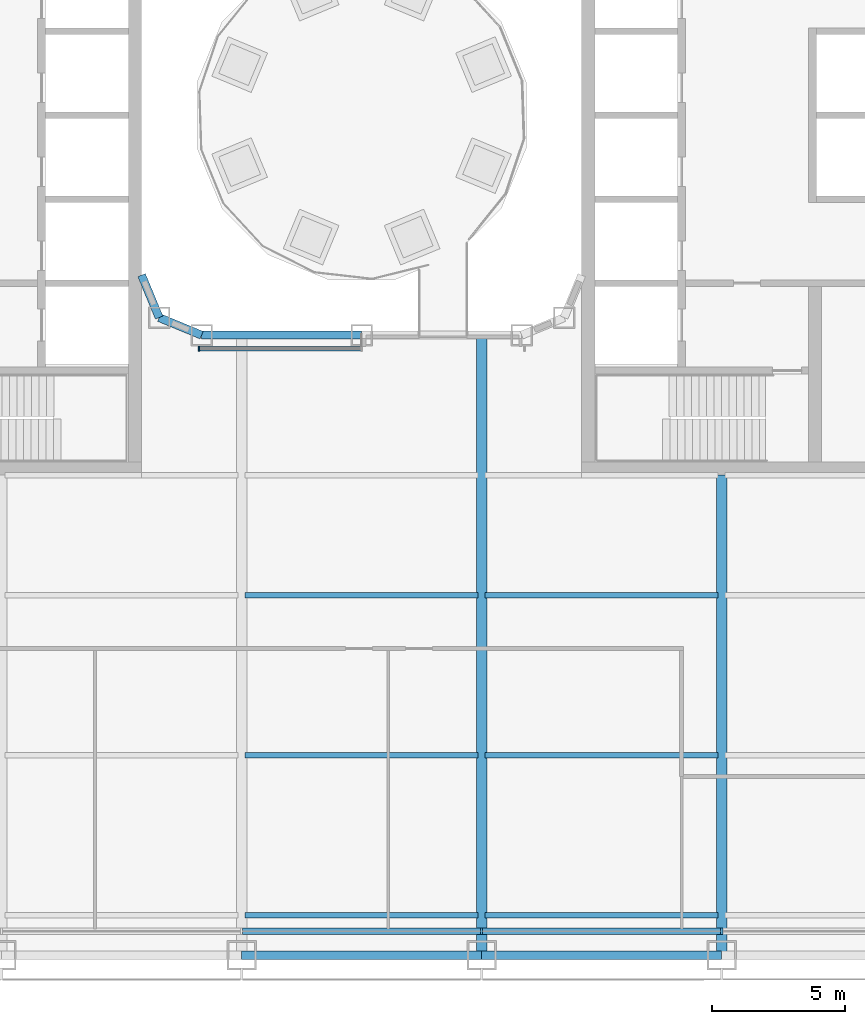
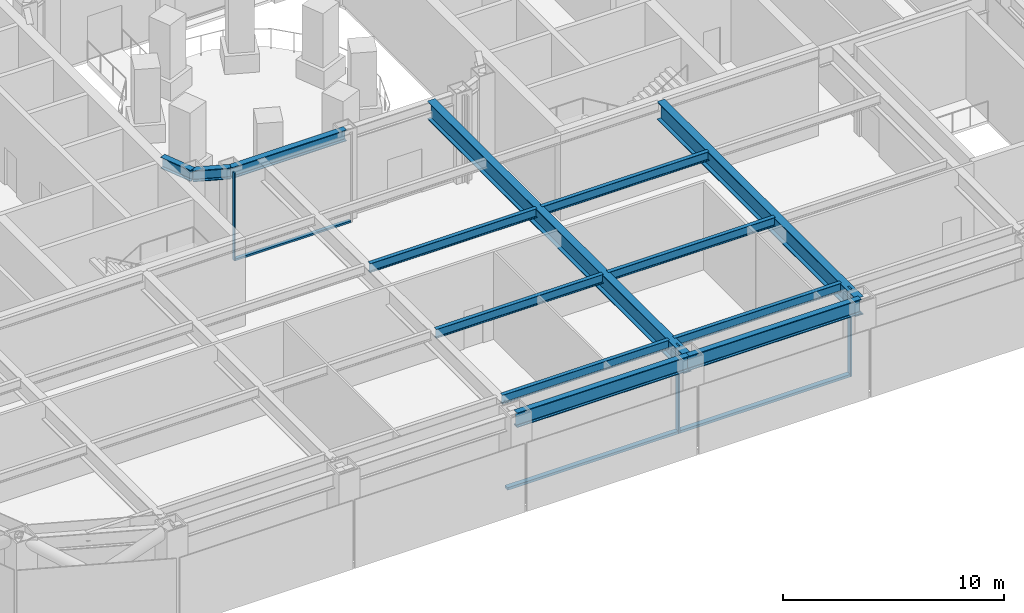
# One storey, part 3 of 25: 13 beams, 6 members, 2 elements without a shape of their own.
"""IFC4 building model written with IfcOpenShell, lengths in metres."""

import ifcopenshell
import ifcopenshell.guid

model = None  # the IFC model being written
_history = None  # IfcOwnerHistory: only IFC2X3 demands one
_inside = {}  # id of a spatial element -> (the spatial element, [elements in it])
_under = {}  # id of a project, library or spatial element -> (it, [spatial elements below it])
_declared = {}  # id of a project -> (the project, [libraries it declares])
_typed = {}  # id of a type object -> (the type object, [elements of that type])
_made_of = {}  # id of a material, layer set ... -> (it, [elements and type objects made of it])


def new_model(schema):
    """Start an empty IFC model of exactly this schema.

    Asked for "IFC4X3", IfcOpenShell would pick the latest addendum, in which some entities
    have other attributes; the version numbers below select the first issue.
    IFC2X3 requires an IfcOwnerHistory on every rooted entity: one is made here for all.
    """
    global model, _history
    if schema == "IFC4X3":
        model = ifcopenshell.file(schema_version=(4, 3, 0, 0))
    else:
        model = ifcopenshell.file(schema=schema)
    _inside.clear()
    _under.clear()
    _declared.clear()
    _typed.clear()
    _made_of.clear()
    _history = None
    if model.schema == "IFC2X3":
        org = make("IfcOrganization", Name="unknown")
        user = make(
            "IfcPersonAndOrganization",
            ThePerson=make("IfcPerson", FamilyName="unknown"),
            TheOrganization=org,
        )
        app = make(
            "IfcApplication",
            ApplicationDeveloper=org,
            Version="unknown",
            ApplicationFullName="unknown",
            ApplicationIdentifier="unknown",
        )
        _history = make(
            "IfcOwnerHistory",
            OwningUser=user,
            OwningApplication=app,
            ChangeAction="ADDED",
            CreationDate=0,
        )
    return model


def make(cls, **values):
    """One entity of the class cls with the attributes given. An attribute that is None is left unset."""
    return model.create_entity(
        cls, **{name: value for name, value in values.items() if value is not None}
    )


def rooted(cls, **values):
    """An entity with a GlobalId (a new one), such as an element, a storey or a relation."""
    return make(cls, GlobalId=ifcopenshell.guid.new(), OwnerHistory=_history, **values)


def si_unit(unit_type, name, prefix=None):
    """IfcSIUnit, for example si_unit("LENGTHUNIT", "METRE", prefix="MILLI")."""
    return make("IfcSIUnit", UnitType=unit_type, Prefix=prefix, Name=name)


def assignment(units):
    """IfcUnitAssignment: the units of a project."""
    return None if units is None else make("IfcUnitAssignment", Units=units)


def point(xyz):
    """IfcCartesianPoint."""
    return None if xyz is None else make("IfcCartesianPoint", Coordinates=xyz)


def direction(xyz):
    """IfcDirection."""
    return None if xyz is None else make("IfcDirection", DirectionRatios=xyz)


def frame(location, z_axis=None, x_axis=None):
    """IfcAxis2Placement3D, a coordinate frame: its origin and axes. An axis left out is left unset."""
    return make(
        "IfcAxis2Placement3D",
        Location=point(location),
        Axis=direction(z_axis),
        RefDirection=direction(x_axis),
    )


def frame_2d(location, x_axis=None):
    """IfcAxis2Placement2D, a coordinate frame in the plane: its origin and x axis."""
    return make(
        "IfcAxis2Placement2D", Location=point(location), RefDirection=direction(x_axis)
    )


def origin():
    """The frame at (0, 0, 0) with its axes left unset."""
    return frame((0.0, 0.0, 0.0))


def origin_2d():
    """The frame at (0, 0) in the plane with its x axis left unset."""
    return frame_2d((0.0, 0.0))


def place(relative_to, where):
    """IfcLocalPlacement: puts the frame where relative to a parent placement (None: the world)."""
    return make(
        "IfcLocalPlacement", PlacementRelTo=relative_to, RelativePlacement=where
    )


def context(
    kind, dimensions, precision=None, world=None, true_north=None, identifier=None
):
    """IfcGeometricRepresentationContext, for example the 3D "Model" context."""
    return make(
        "IfcGeometricRepresentationContext",
        ContextIdentifier=identifier,
        ContextType=kind,
        CoordinateSpaceDimension=dimensions,
        Precision=precision,
        WorldCoordinateSystem=world,
        TrueNorth=true_north,
    )


def subcontext(parent, identifier, kind, view, scale=None):
    """IfcGeometricRepresentationSubContext, for example "Body" below "Model"."""
    return make(
        "IfcGeometricRepresentationSubContext",
        ContextIdentifier=identifier,
        ContextType=kind,
        ParentContext=parent,
        TargetScale=scale,
        TargetView=view,
    )


def project(units=None, contexts=None):
    """IfcProject with its units and contexts."""
    return rooted(
        "IfcProject",
        Name="project",
        RepresentationContexts=contexts,
        UnitsInContext=assignment(units),
    )


def spatial(cls, under=None, at=None, **own):
    """A site, building, storey or space (cls), placed at a placement, below another one or the project."""
    s = rooted(cls, ObjectPlacement=at, **own)
    if under is not None:
        _under.setdefault(under.id(), (under, []))[1].append(s)
    return s


def profile(cls, at=None, kind="AREA", **sizes):
    """A parametric profile (cls). Its sizes go by their IFC names, for example OverallWidth=200.0."""
    return make(cls, ProfileType=kind, Position=at, **sizes)


def rectangle(**sizes):
    """IfcRectangleProfileDef."""
    return profile("IfcRectangleProfileDef", **sizes)


def i_section(**sizes):
    """IfcIShapeProfileDef."""
    return profile("IfcIShapeProfileDef", **sizes)


def extrude(swept, where, along, depth):
    """IfcExtrudedAreaSolid: the profile swept, set in the frame where, extruded along a direction by depth."""
    return make(
        "IfcExtrudedAreaSolid",
        SweptArea=swept,
        Position=where,
        ExtrudedDirection=direction(along),
        Depth=depth,
    )


def shape(context_of_items, identifier, shape_type, items):
    """IfcShapeRepresentation: the items that make up one representation, for example the "Body"."""
    return make(
        "IfcShapeRepresentation",
        ContextOfItems=context_of_items,
        RepresentationIdentifier=identifier,
        RepresentationType=shape_type,
        Items=items,
    )


def material(Name=None, Category=None):
    """IfcMaterial."""
    return make("IfcMaterial", Name=Name, Category=Category)


def layer(
    of_material, thickness, ventilated=None, Name=None, Category=None, Priority=None
):
    """IfcMaterialLayer: one layer of a wall or slab, of a material (None: an air gap)."""
    return make(
        "IfcMaterialLayer",
        Material=of_material,
        LayerThickness=thickness,
        IsVentilated=ventilated,
        Name=Name,
        Category=Category,
        Priority=Priority,
    )


def layer_set(layers, Name=None):
    """IfcMaterialLayerSet."""
    return make("IfcMaterialLayerSet", MaterialLayers=layers, LayerSetName=Name)


def material_profile(
    of_material, cross_section, Name=None, Category=None, Priority=None
):
    """IfcMaterialProfile: a cross section and its material."""
    return make(
        "IfcMaterialProfile",
        Name=Name,
        Material=of_material,
        Profile=cross_section,
        Priority=Priority,
        Category=Category,
    )


def profile_set(profiles, Name=None, composite=None):
    """IfcMaterialProfileSet."""
    return make(
        "IfcMaterialProfileSet",
        Name=Name,
        MaterialProfiles=profiles,
        CompositeProfile=composite,
    )


def made_of(thing, what):
    """Note that an element or type object is made of a material, layer set ...; save() writes the relation."""
    if what is not None:
        _made_of.setdefault(what.id(), (what, []))[1].append(thing)
    return thing


def type_object(cls, material=None, **own):
    """A type object (cls), such as IfcWallType, which elements share."""
    return made_of(rooted(cls, **own), material)


def element(
    cls,
    number,
    at=None,
    inside=None,
    cuts=None,
    type_object=None,
    material=None,
    context=None,
    identifier="Body",
    shape_type=None,
    held_by="IfcProductDefinitionShape",
    body=None,
    shapes=None,
    **own,
):
    """One element of the class cls, such as IfcWall. Its Tag is "e" and its number.

    at: its placement. inside: the storey or other place that contains it. cuts: it is an
    opening in that element (IfcRelVoidsElement). A single representation is given by context,
    identifier, shape_type and body (its items); several are given by shapes. held_by: the class
    of the entity that holds the representations. save() writes the other relations.
    """
    e = rooted(cls, Tag="e%d" % number, ObjectPlacement=at, **own)
    if body is not None:
        shapes = [shape(context, identifier, shape_type, body)]
    if shapes is not None:
        e.Representation = make(held_by, Representations=shapes)
    if inside is not None:
        _inside.setdefault(inside.id(), (inside, []))[1].append(e)
    if cuts is not None:
        rooted(
            "IfcRelVoidsElement", RelatingBuildingElement=cuts, RelatedOpeningElement=e
        )
    if type_object is not None:
        _typed.setdefault(type_object.id(), (type_object, []))[1].append(e)
    return made_of(e, material)


def aggregate(whole, parts):
    """IfcRelAggregates: a whole, such as a stair, and the parts it consists of."""
    return rooted("IfcRelAggregates", RelatingObject=whole, RelatedObjects=parts)


def save(model, path):
    """Write the relations noted so far, then the file.

    IfcRelAggregates (storeys below a building ...), IfcRelContainedInSpatialStructure (elements
    in a storey), IfcRelDefinesByType, IfcRelAssociatesMaterial and IfcRelDeclares: one each for
    every whole, place, type object, material and project.
    """
    for whole, parts in _under.values():
        aggregate(whole, parts)
    for where, things in _inside.values():
        rooted(
            "IfcRelContainedInSpatialStructure",
            RelatedElements=things,
            RelatingStructure=where,
        )
    for kind, things in _typed.values():
        rooted("IfcRelDefinesByType", RelatedObjects=things, RelatingType=kind)
    for what, things in _made_of.values():
        rooted("IfcRelAssociatesMaterial", RelatedObjects=things, RelatingMaterial=what)
    for by, libraries in _declared.values():
        rooted("IfcRelDeclares", RelatingContext=by, RelatedDefinitions=libraries)
    model.write(path)


model = new_model("IFC4")

# Units and contexts
model_context = context("Model", 3, precision=1e-05, world=origin(), true_north=direction((0.0, 1.0)))
body_context = subcontext(model_context, "Body", "Model", "MODEL_VIEW")
ifc_project = project(units=[si_unit("LENGTHUNIT", "METRE"), si_unit("AREAUNIT", "SQUARE_METRE"), si_unit("VOLUMEUNIT", "CUBIC_METRE"), si_unit("PLANEANGLEUNIT", "RADIAN"), si_unit("MASSUNIT", "GRAM", prefix="KILO")], contexts=[model_context])

# Site, building, storey
site_placement = place(None, origin())
site = spatial("IfcSite", under=ifc_project, at=site_placement, CompositionType="ELEMENT")
building_placement = place(site_placement, origin())
building = spatial("IfcBuilding", under=site, at=building_placement, Name="Siwar Civic Tower", CompositionType="ELEMENT")
storey_placement = place(building_placement, frame((0.0, 0.0, 17.199951171875)))
storey = spatial("IfcBuildingStorey", under=building, at=storey_placement, Name="L03", CompositionType="ELEMENT", Elevation=17.199951171875)

# Curtain wall, members
ifc_material_1 = material(Name="Aluminium and glass", Category="aluminium")
ifc_layer_1 = layer(ifc_material_1, 0.25)
ifc_layer_set_1 = layer_set([ifc_layer_1], Name="Aluminium and glass")
curtain_wall_type_1 = type_object("IfcCurtainWallType", Name="ENV-CW-H", PredefinedType="NOTDEFINED", material=ifc_layer_set_1)
curtain_wall_1_placement = place(storey_placement, origin())
curtain_wall_1 = element("IfcCurtainWall", 1, at=curtain_wall_1_placement, inside=storey, type_object=curtain_wall_type_1, Name="Curtain wall H S", PredefinedType="NOTDEFINED")
ifc_material_2 = material(Name="Aluminium 6063-T6", Category="aluminium")
ifc_material_profile_1 = material_profile(ifc_material_2, rectangle(XDim=0.25, YDim=0.080078125, at=origin_2d()), Name="AL 250x80")
ifc_profile_set_1 = profile_set([ifc_material_profile_1], Name="Aluminium 6063-T6")
member_type_1 = type_object("IfcMemberType", Name="ENV-MULLION-H", PredefinedType="MULLION", material=ifc_profile_set_1)
member_1_placement = place(storey_placement, frame((4.5, -30.60009765625, 0.0), z_axis=(0.0, 0.0, 1.0), x_axis=(0.0, 1.0, 0.0)))
member_1 = element("IfcMember", 2, at=member_1_placement, type_object=member_type_1, Name="Mullion H S 4", PredefinedType="MULLION", context=body_context, shape_type="SweptSolid", body=[
    extrude(rectangle(XDim=0.25, YDim=0.080078125, at=origin_2d()), origin(), (0.0, 0.0, 1.0), 4.85009765625),
])
member_2_placement = place(storey_placement, frame((13.5, -30.60009765625, 0.0), z_axis=(0.0, 0.0, 1.0), x_axis=(0.0, 1.0, 0.0)))
member_2 = element("IfcMember", 3, at=member_2_placement, type_object=member_type_1, Name="Mullion H S 5", PredefinedType="MULLION", context=body_context, shape_type="SweptSolid", body=[
    extrude(rectangle(XDim=0.25, YDim=0.080078125, at=origin_2d()), origin(), (0.0, 0.0, 1.0), 4.85009765625),
])

# Curtain wall, member
ifc_material_3 = material(Name="Aluminium and glass", Category="aluminium")
ifc_layer_2 = layer(ifc_material_3, 0.179931640625)
ifc_layer_set_2 = layer_set([ifc_layer_2], Name="Aluminium and glass")
curtain_wall_type_2 = type_object("IfcCurtainWallType", Name="ENV-CW-W", PredefinedType="NOTDEFINED", material=ifc_layer_set_2)
curtain_wall_2_placement = place(storey_placement, origin())
curtain_wall_2 = element("IfcCurtainWall", 4, at=curtain_wall_2_placement, inside=storey, type_object=curtain_wall_type_2, Name="Curtain wall W WS", PredefinedType="NOTDEFINED")
ifc_material_4 = material(Name="Aluminium 6063-T6", Category="aluminium")
ifc_material_profile_2 = material_profile(ifc_material_4, rectangle(XDim=0.179931640625, YDim=0.06005859375, at=origin_2d()), Name="AL 180x60")
ifc_profile_set_2 = profile_set([ifc_material_profile_2], Name="Aluminium 6063-T6")
member_type_2 = type_object("IfcMemberType", Name="ENV-MULLION-W", PredefinedType="MULLION", material=ifc_profile_set_2)
member_3_placement = place(storey_placement, frame((-6.1015625, -8.760009765625, 0.0), z_axis=(0.0, 0.0, 1.0), x_axis=(0.0, 1.0, 0.0)))
member_3 = element("IfcMember", 5, at=member_3_placement, type_object=member_type_2, Name="Mullion W WS 1", PredefinedType="MULLION", context=body_context, shape_type="SweptSolid", body=[
    extrude(rectangle(XDim=0.179931640625, YDim=0.06005859375, at=origin_2d()), origin(), (0.0, 0.0, 1.0), 4.85009765625),
])

# Member
ifc_material_5 = material(Name="Aluminium 6063-T6", Category="aluminium")
ifc_material_profile_3 = material_profile(ifc_material_5, rectangle(XDim=0.25, YDim=0.139892578125, at=origin_2d()), Name="AL 250x140")
ifc_profile_set_3 = profile_set([ifc_material_profile_3], Name="Aluminium 6063-T6")
member_type_3 = type_object("IfcMemberType", Name="ENV-TRANSOM-H", PredefinedType="USERDEFINED", material=ifc_profile_set_3)
member_4_placement = place(storey_placement, frame((-4.4599609375, -30.60009765625, 0.070068359375), z_axis=(1.0, 0.0, 0.0), x_axis=(0.0, 1.0, 0.0)))
member_4 = element("IfcMember", 6, at=member_4_placement, type_object=member_type_3, Name="Transom H S 3", ObjectType="TRANSOM", PredefinedType="USERDEFINED", context=body_context, shape_type="SweptSolid", body=[
    extrude(rectangle(XDim=0.25, YDim=0.139892578125, at=origin_2d()), origin(), (0.0, 0.0, 1.0), 8.919921875),
])

member_5_placement = place(storey_placement, frame((4.5400390625, -30.60009765625, 0.070068359375), z_axis=(1.0, 0.0, 0.0), x_axis=(0.0, 1.0, 0.0)))
member_5 = element("IfcMember", 7, at=member_5_placement, type_object=member_type_3, Name="Transom H S 4", ObjectType="TRANSOM", PredefinedType="USERDEFINED", context=body_context, shape_type="SweptSolid", body=[
    extrude(rectangle(XDim=0.25, YDim=0.139892578125, at=origin_2d()), origin(), (0.0, 0.0, 1.0), 8.919921875),
])

aggregate(curtain_wall_1, [member_1, member_2, member_4, member_5])

ifc_material_6 = material(Name="Aluminium 6063-T6", Category="aluminium")
ifc_material_profile_4 = material_profile(ifc_material_6, rectangle(XDim=0.179931640625, YDim=0.10009765625, at=origin_2d()), Name="AL 180x100")
ifc_profile_set_4 = profile_set([ifc_material_profile_4], Name="Aluminium 6063-T6")
member_type_4 = type_object("IfcMemberType", Name="ENV-TRANSOM-W", PredefinedType="USERDEFINED", material=ifc_profile_set_4)
member_6_placement = place(storey_placement, frame((-6.071533203125, -8.760009765625, 0.050048828125), z_axis=(1.0, 0.0, 0.0), x_axis=(0.0, 1.0, 0.0)))
member_6 = element("IfcMember", 8, at=member_6_placement, type_object=member_type_4, Name="Transom W WS 1", ObjectType="TRANSOM", PredefinedType="USERDEFINED", context=body_context, shape_type="SweptSolid", body=[
    extrude(rectangle(XDim=0.179931640625, YDim=0.10009765625, at=origin_2d()), origin(), (0.0, 0.0, 1.0), 6.04150390625),
])

aggregate(curtain_wall_2, [member_3, member_6])

# Beams
ifc_material_7 = material(Name="Steel S355", Category="steel")
ifc_material_profile_5 = material_profile(ifc_material_7, i_section(OverallWidth=0.199951171875, OverallDepth=0.5, WebThickness=0.01025390625, FlangeThickness=0.01611328125, FilletRadius=0.02099609375, at=origin_2d()), Name="IPE500")
ifc_profile_set_5 = profile_set([ifc_material_profile_5], Name="Steel S355")
beam_type_1 = type_object("IfcBeamType", Name="STR-FB-IPE500", PredefinedType="JOIST", material=ifc_profile_set_5)
for number, where, z_axis, x_axis, name in (
    (9, (-4.3701171875, -30.0, 4.60009765625), (1.0, 0.0, 0.0), (0.0, 1.0, 0.0), "L03/bm/F004"),
    (10, (4.6298828125, -30.0, 4.60009765625), (1.0, 0.0, 0.0), (0.0, 1.0, 0.0), "L03/bm/F005"),
    (11, (-4.3701171875, -24.0, 4.60009765625), (1.0, 0.0, 0.0), (0.0, 1.0, 0.0), "L03/bm/F011"),
    (12, (4.6298828125, -24.0, 4.60009765625), (1.0, 0.0, 0.0), (0.0, 1.0, 0.0), "L03/bm/F012"),
    (13, (-4.3701171875, -18.0, 4.60009765625), (1.0, 0.0, 0.0), (0.0, 1.0, 0.0), "L03/bm/F017"),
    (14, (4.6298828125, -18.0, 4.60009765625), (1.0, 0.0, 0.0), (0.0, 1.0, 0.0), "L03/bm/F018"),
):
    element("IfcBeam", number, at=place(storey_placement, frame(where, z_axis=z_axis, x_axis=x_axis)), inside=storey, type_object=beam_type_1, Name=name, PredefinedType="JOIST", context=body_context, shape_type="SweptSolid", body=[
        extrude(i_section(OverallWidth=0.199951171875, OverallDepth=0.5, WebThickness=0.01025390625, FlangeThickness=0.01611328125, FilletRadius=0.02099609375, at=origin_2d()), origin(), (0.0, 0.0, 1.0), 8.740234375),
    ])
ifc_material_8 = material(Name="Steel S355", Category="steel")
ifc_material_profile_6 = material_profile(ifc_material_8, i_section(OverallWidth=0.39990234375, OverallDepth=1.0, WebThickness=0.01611328125, FlangeThickness=0.0400390625, at=origin_2d()), Name="PG1000x400x16x40")
ifc_profile_set_6 = profile_set([ifc_material_profile_6], Name="Steel S355")
beam_type_2 = type_object("IfcBeamType", Name="STR-PG-PG1000x400x16x40", PredefinedType="BEAM", material=ifc_profile_set_6)
beam_1_placement = place(storey_placement, frame((4.5, -31.5, 4.35009765625), z_axis=(0.0, 1.0, 0.0), x_axis=(-1.0, 0.0, 0.0)))
element("IfcBeam", 15, at=beam_1_placement, inside=storey, type_object=beam_type_2, Name="L03/bm/G07", PredefinedType="BEAM", context=body_context, shape_type="SweptSolid", body=[
    extrude(i_section(OverallWidth=0.39990234375, OverallDepth=1.0, WebThickness=0.01611328125, FlangeThickness=0.0400390625, at=origin_2d()), origin(), (0.0, 0.0, 1.0), 23.25),
])
beam_2_placement = place(storey_placement, frame((13.5, -31.5, 4.35009765625), z_axis=(0.0, 1.0, 0.0), x_axis=(-1.0, 0.0, 0.0)))
element("IfcBeam", 16, at=beam_2_placement, inside=storey, type_object=beam_type_2, Name="L03/bm/G09", PredefinedType="BEAM", context=body_context, shape_type="SweptSolid", body=[
    extrude(i_section(OverallWidth=0.39990234375, OverallDepth=1.0, WebThickness=0.01611328125, FlangeThickness=0.0400390625, at=origin_2d()), origin(), (0.0, 0.0, 1.0), 18.0),
])
ifc_material_9 = material(Name="Steel S355", Category="steel")
ifc_material_profile_7 = material_profile(ifc_material_9, i_section(OverallWidth=0.304931640625, OverallDepth=0.6201171875, WebThickness=0.02099609375, FlangeThickness=0.0400390625, FilletRadius=0.027099609375, at=origin_2d()), Name="HEM600")
ifc_profile_set_7 = profile_set([ifc_material_profile_7], Name="Steel S355")
beam_type_3 = type_object("IfcBeamType", Name="STR-RB-HEM600", PredefinedType="BEAM", material=ifc_profile_set_7)
beam_3_placement = place(storey_placement, frame((-7.591064453125, -7.591064453125, 4.5400390625), z_axis=(0.923901072997, -0.382631424892, 0.0), x_axis=(0.382631424892, 0.923901072997, 0.0)))
element("IfcBeam", 17, at=beam_3_placement, inside=storey, type_object=beam_type_3, Name="L03/bm/RS0", PredefinedType="BEAM", context=body_context, shape_type="SweptSolid", body=[
    extrude(i_section(OverallWidth=0.304931640625, OverallDepth=0.6201171875, WebThickness=0.02099609375, FlangeThickness=0.0400390625, FilletRadius=0.027099609375, at=origin_2d()), origin(), (0.0, 0.0, 1.0), 1.72216796875),
])
beam_4_placement = place(storey_placement, frame((-6.0, -8.25, 4.5400390625), z_axis=(1.0, 0.0, 0.0), x_axis=(0.0, 1.0, 0.0)))
element("IfcBeam", 18, at=beam_4_placement, inside=storey, type_object=beam_type_3, Name="L03/bm/RS1", PredefinedType="BEAM", context=body_context, shape_type="SweptSolid", body=[
    extrude(i_section(OverallWidth=0.304931640625, OverallDepth=0.6201171875, WebThickness=0.02099609375, FlangeThickness=0.0400390625, FilletRadius=0.027099609375, at=origin_2d()), origin(), (0.0, 0.0, 1.0), 6.0),
])
beam_5_placement = place(storey_placement, frame((-7.591064453125, -7.591064453125, 4.5400390625), z_axis=(-0.382631424892, 0.923901072997, 0.0), x_axis=(-0.923901072997, -0.382631424892, 0.0)))
element("IfcBeam", 19, at=beam_5_placement, inside=storey, type_object=beam_type_3, Name="L03/bm/RSEW", PredefinedType="BEAM", context=body_context, shape_type="SweptSolid", body=[
    extrude(i_section(OverallWidth=0.304931640625, OverallDepth=0.6201171875, WebThickness=0.02099609375, FlangeThickness=0.0400390625, FilletRadius=0.027099609375, at=origin_2d()), origin(), (0.0, 0.0, 1.0), 1.72216796875),
])
ifc_material_10 = material(Name="Steel S355", Category="steel")
ifc_material_profile_8 = material_profile(ifc_material_10, i_section(OverallWidth=0.302978515625, OverallDepth=0.81396484375, WebThickness=0.02099609375, FlangeThickness=0.0400390625, FilletRadius=0.030029296875, at=origin_2d()), Name="HEM800")
ifc_profile_set_8 = profile_set([ifc_material_profile_8], Name="Steel S355")
beam_type_4 = type_object("IfcBeamType", Name="STR-SB-HEM800", PredefinedType="BEAM", material=ifc_profile_set_8)
for number, where, z_axis, x_axis, name in (
    (20, (-4.5, -31.5, 4.443115234375), (1.0, 0.0, 0.0), (0.0, 1.0, 0.0), "L03/bm/SS-2"),
    (21, (4.5, -31.5, 4.443115234375), (1.0, 0.0, 0.0), (0.0, 1.0, 0.0), "L03/bm/SS-3"),
):
    element("IfcBeam", number, at=place(storey_placement, frame(where, z_axis=z_axis, x_axis=x_axis)), inside=storey, type_object=beam_type_4, Name=name, PredefinedType="BEAM", context=body_context, shape_type="SweptSolid", body=[
        extrude(i_section(OverallWidth=0.302978515625, OverallDepth=0.81396484375, WebThickness=0.02099609375, FlangeThickness=0.0400390625, FilletRadius=0.030029296875, at=origin_2d()), origin(), (0.0, 0.0, 1.0), 9.0),
    ])

save(model, "model.ifc")
